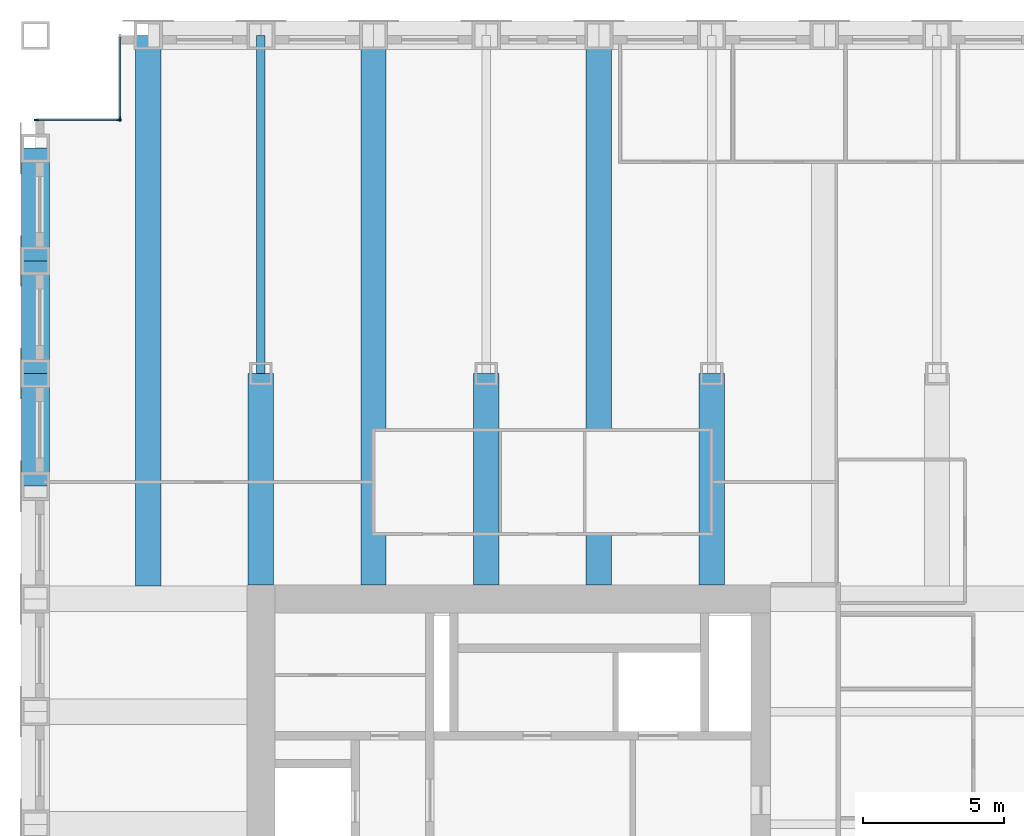
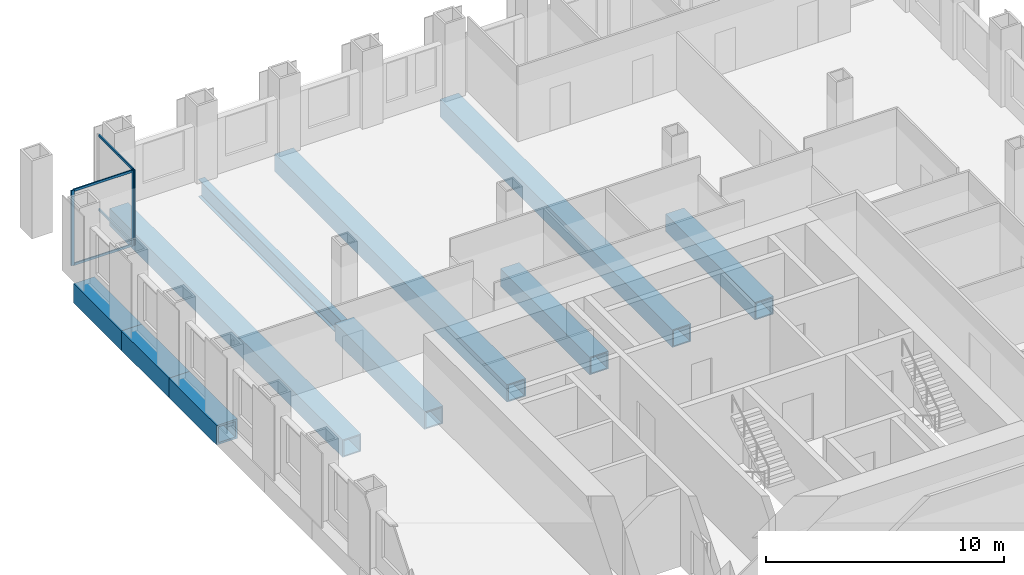
# One storey, part 5 of 13: 10 beams, 7 members, 2 elements without a shape of their own.
"""IFC4 building model written with IfcOpenShell, lengths in metres."""

from ifc_helpers import new_model, si_unit, direction, frame, origin, origin_2d, place, context, subcontext, project, spatial, rectangle, hollow_rectangle, i_section, extrude, material, material_profile, profile_set, type_object, element, aggregate, save


model = new_model("IFC4")

# Units and contexts
model_context = context("Model", 3, precision=1e-05, world=origin(), true_north=direction((0.0, 1.0)))
body_context = subcontext(model_context, "Body", "Model", "MODEL_VIEW")
ifc_project = project(units=[si_unit("LENGTHUNIT", "METRE"), si_unit("AREAUNIT", "SQUARE_METRE"), si_unit("VOLUMEUNIT", "CUBIC_METRE"), si_unit("PLANEANGLEUNIT", "RADIAN"), si_unit("MASSUNIT", "GRAM", prefix="KILO")], contexts=[model_context])

# Site, building, storey
site_placement = place(None, origin())
site = spatial("IfcSite", under=ifc_project, at=site_placement, CompositionType="ELEMENT")
building_placement = place(site_placement, origin())
building = spatial("IfcBuilding", under=site, at=building_placement, Name="Rimbunsela Tower", CompositionType="ELEMENT")
storey_placement = place(building_placement, frame((0.0, 0.0, 222.199951171875)))
storey = spatial("IfcBuildingStorey", under=building, at=storey_placement, Name="L53", CompositionType="ELEMENT", Elevation=222.199951171875)

# Beams
ifc_material_1 = material(Name="Steel BJ 55 (fy 410 MPa)", Category="steel")
ifc_material_profile_1 = material_profile(ifc_material_1, hollow_rectangle(XDim=1.0, YDim=1.0, WallThickness=0.10009765625, at=origin_2d()), Name="BOX 1000x1000x100")
ifc_profile_set_1 = profile_set([ifc_material_profile_1], Name="Steel BJ 55 (fy 410 MPa)")
beam_type_1 = type_object("IfcBeamType", Name="Beam BOX 1000x1000x100", PredefinedType="BEAM", material=ifc_profile_set_1)
for number, where, z_axis, x_axis, name in (
    (1, (10.0, 40.0, -0.64990234375), (0.0, 1.0, 0.0), (-1.0, 0.0, 0.0), "Beam B3 L53"),
    (2, (10.0, 44.0, -0.64990234375), (0.0, 1.0, 0.0), (-1.0, 0.0, 0.0), "Beam B3 L53"),
    (3, (10.0, 48.0, -0.64990234375), (0.0, 1.0, 0.0), (-1.0, 0.0, 0.0), "Beam B3 L53"),
):
    element("IfcBeam", number, at=place(storey_placement, frame(where, z_axis=z_axis, x_axis=x_axis)), inside=storey, type_object=beam_type_1, Name=name, PredefinedType="BEAM", context=body_context, shape_type="SweptSolid", body=[
        extrude(hollow_rectangle(XDim=1.0, YDim=1.0, WallThickness=0.10009765625, at=origin_2d()), origin(), (0.0, 0.0, 1.0), 4.0),
    ])
ifc_material_2 = material(Name="Steel BJ 55 (fy 410 MPa)", Category="steel")
ifc_material_profile_2 = material_profile(ifc_material_2, hollow_rectangle(XDim=0.89990234375, YDim=0.89990234375, WallThickness=0.06005859375, at=origin_2d()), Name="BOX 900x900x60")
ifc_profile_set_2 = profile_set([ifc_material_profile_2], Name="Steel BJ 55 (fy 410 MPa)")
beam_type_2 = type_object("IfcBeamType", Name="Beam BOX 900x900x60", PredefinedType="BEAM", material=ifc_profile_set_2)
beam_1_placement = place(storey_placement, frame((14.0, 36.449951171875, -0.599853515625), z_axis=(0.0, 1.0, 0.0), x_axis=(-1.0, 0.0, 0.0)))
element("IfcBeam", 4, at=beam_1_placement, inside=storey, type_object=beam_type_2, Name="Beam B1 L53", PredefinedType="BEAM", context=body_context, shape_type="SweptSolid", body=[
    extrude(hollow_rectangle(XDim=0.89990234375, YDim=0.89990234375, WallThickness=0.06005859375, at=origin_2d()), origin(), (0.0, 0.0, 1.0), 19.550048828125),
])
beam_2_placement = place(storey_placement, frame((18.0, 36.5, -0.599853515625), z_axis=(0.0, 1.0, 0.0), x_axis=(-1.0, 0.0, 0.0)))
element("IfcBeam", 5, at=beam_2_placement, inside=storey, type_object=beam_type_2, Name="Beam B1 L53", PredefinedType="BEAM", context=body_context, shape_type="SweptSolid", body=[
    extrude(hollow_rectangle(XDim=0.89990234375, YDim=0.89990234375, WallThickness=0.06005859375, at=origin_2d()), origin(), (0.0, 0.0, 1.0), 7.5),
])
beam_3_placement = place(storey_placement, frame((22.0, 36.5, -0.599853515625), z_axis=(0.0, 1.0, 0.0), x_axis=(-1.0, 0.0, 0.0)))
element("IfcBeam", 6, at=beam_3_placement, inside=storey, type_object=beam_type_2, Name="Beam B1 L53", PredefinedType="BEAM", context=body_context, shape_type="SweptSolid", body=[
    extrude(hollow_rectangle(XDim=0.89990234375, YDim=0.89990234375, WallThickness=0.06005859375, at=origin_2d()), origin(), (0.0, 0.0, 1.0), 19.5),
])
beam_4_placement = place(storey_placement, frame((26.0, 36.5, -0.599853515625), z_axis=(0.0, 1.0, 0.0), x_axis=(-1.0, 0.0, 0.0)))
element("IfcBeam", 7, at=beam_4_placement, inside=storey, type_object=beam_type_2, Name="Beam B1 L53", PredefinedType="BEAM", context=body_context, shape_type="SweptSolid", body=[
    extrude(hollow_rectangle(XDim=0.89990234375, YDim=0.89990234375, WallThickness=0.06005859375, at=origin_2d()), origin(), (0.0, 0.0, 1.0), 7.5),
])
beam_5_placement = place(storey_placement, frame((30.0, 36.5, -0.599853515625), z_axis=(0.0, 1.0, 0.0), x_axis=(-1.0, 0.0, 0.0)))
element("IfcBeam", 8, at=beam_5_placement, inside=storey, type_object=beam_type_2, Name="Beam B1 L53", PredefinedType="BEAM", context=body_context, shape_type="SweptSolid", body=[
    extrude(hollow_rectangle(XDim=0.89990234375, YDim=0.89990234375, WallThickness=0.06005859375, at=origin_2d()), origin(), (0.0, 0.0, 1.0), 19.5),
])
beam_6_placement = place(storey_placement, frame((34.0, 36.5, -0.599853515625), z_axis=(0.0, 1.0, 0.0), x_axis=(-1.0, 0.0, 0.0)))
element("IfcBeam", 9, at=beam_6_placement, inside=storey, type_object=beam_type_2, Name="Beam B1 L53", PredefinedType="BEAM", context=body_context, shape_type="SweptSolid", body=[
    extrude(hollow_rectangle(XDim=0.89990234375, YDim=0.89990234375, WallThickness=0.06005859375, at=origin_2d()), origin(), (0.0, 0.0, 1.0), 7.5),
])
ifc_material_3 = material(Name="Steel BJ 55 (fy 410 MPa)", Category="steel")
ifc_material_profile_3 = material_profile(ifc_material_3, i_section(OverallWidth=0.300048828125, OverallDepth=0.89990234375, WebThickness=0.01611328125, FlangeThickness=0.028076171875, FilletRadius=0.028076171875, at=origin_2d()), Name="H 900x300x16x28")
ifc_profile_set_3 = profile_set([ifc_material_profile_3], Name="Steel BJ 55 (fy 410 MPa)")
beam_type_3 = type_object("IfcBeamType", Name="Beam H 900x300x16x28", PredefinedType="BEAM", material=ifc_profile_set_3)
beam_7_placement = place(storey_placement, frame((18.0, 44.0, -0.599853515625), z_axis=(0.0, 1.0, 0.0), x_axis=(-1.0, 0.0, 0.0)))
element("IfcBeam", 10, at=beam_7_placement, inside=storey, type_object=beam_type_3, Name="Beam B2 L53", PredefinedType="BEAM", context=body_context, shape_type="SweptSolid", body=[
    extrude(i_section(OverallWidth=0.300048828125, OverallDepth=0.89990234375, WebThickness=0.01611328125, FlangeThickness=0.028076171875, FilletRadius=0.028076171875, at=origin_2d()), origin(), (0.0, 0.0, 1.0), 12.0),
])

# Curtain wall, member
ifc_material_4 = material(Name="Aluminium curtain wall", Category="aluminium")
curtain_wall_type = type_object("IfcCurtainWallType", Name="Corner glazing", PredefinedType="USERDEFINED", material=ifc_material_4)
curtain_wall_1_placement = place(storey_placement, origin())
curtain_wall_1 = element("IfcCurtainWall", 11, at=curtain_wall_1_placement, inside=storey, type_object=curtain_wall_type, Name="Corner glazing L53", ObjectType="CORNER GLAZING", PredefinedType="USERDEFINED")
ifc_material_5 = material(Name="Aluminium mullion", Category="aluminium")
ifc_material_profile_4 = material_profile(ifc_material_5, rectangle(XDim=0.06005859375, YDim=0.159912109375, at=origin_2d()), Name="Mullion 60x160")
ifc_profile_set_4 = profile_set([ifc_material_profile_4], Name="Aluminium mullion")
member_type_1 = type_object("IfcMemberType", Name="Curtain wall mullion 60x160", PredefinedType="MULLION", material=ifc_profile_set_4)
member_1_placement = place(storey_placement, frame((13.0, 53.030029296875, 0.0), z_axis=(0.0, 0.0, 1.0), x_axis=(1.0, 0.0, 0.0)))
member_1 = element("IfcMember", 12, at=member_1_placement, type_object=member_type_1, Name="CW5 mullion 2", PredefinedType="MULLION", context=body_context, shape_type="SweptSolid", body=[
    extrude(rectangle(XDim=0.06005859375, YDim=0.159912109375, at=origin_2d()), origin(), (0.0, 0.0, 1.0), 3.85009765625),
])

# Curtain wall, members
curtain_wall_2_placement = place(storey_placement, origin())
curtain_wall_2 = element("IfcCurtainWall", 13, at=curtain_wall_2_placement, inside=storey, type_object=curtain_wall_type, Name="Corner glazing L53", ObjectType="CORNER GLAZING", PredefinedType="USERDEFINED")
member_2_placement = place(storey_placement, frame((12.969970703125, 53.0, 0.0), z_axis=(0.0, 0.0, 1.0), x_axis=(0.0, -1.0, 0.0)))
member_2 = element("IfcMember", 14, at=member_2_placement, type_object=member_type_1, Name="CW5 mullion 1", PredefinedType="MULLION", context=body_context, shape_type="SweptSolid", body=[
    extrude(rectangle(XDim=0.06005859375, YDim=0.159912109375, at=origin_2d()), origin(), (0.0, 0.0, 1.0), 3.85009765625),
])
member_3_placement = place(storey_placement, frame((10.030029296875, 53.0, 0.0), z_axis=(0.0, 0.0, 1.0), x_axis=(0.0, -1.0, 0.0)))
member_3 = element("IfcMember", 15, at=member_3_placement, type_object=member_type_1, Name="CW5 mullion 2", PredefinedType="MULLION", context=body_context, shape_type="SweptSolid", body=[
    extrude(rectangle(XDim=0.06005859375, YDim=0.159912109375, at=origin_2d()), origin(), (0.0, 0.0, 1.0), 3.85009765625),
])

# Member
ifc_material_6 = material(Name="Aluminium transom", Category="aluminium")
ifc_material_profile_5 = material_profile(ifc_material_6, rectangle(XDim=0.06005859375, YDim=0.1201171875, at=origin_2d()), Name="Transom 60x120")
ifc_profile_set_5 = profile_set([ifc_material_profile_5], Name="Aluminium transom")
member_type_2 = type_object("IfcMemberType", Name="Curtain wall transom 60x120", PredefinedType="USERDEFINED", material=ifc_profile_set_5)
member_4_placement = place(storey_placement, frame((13.0, 55.93994140625, 0.030029296875), z_axis=(0.0, -1.0, 0.0), x_axis=(1.0, 0.0, 0.0)))
member_4 = element("IfcMember", 16, at=member_4_placement, type_object=member_type_2, Name="CW5 transom 1.1", ObjectType="TRANSOM", PredefinedType="USERDEFINED", context=body_context, shape_type="SweptSolid", body=[
    extrude(rectangle(XDim=0.06005859375, YDim=0.1201171875, at=origin_2d()), origin(), (0.0, 0.0, 1.0), 2.8798828125),
])

member_5_placement = place(storey_placement, frame((13.0, 55.93994140625, 3.820068359375), z_axis=(0.0, -1.0, 0.0), x_axis=(1.0, 0.0, 0.0)))
member_5 = element("IfcMember", 17, at=member_5_placement, type_object=member_type_2, Name="CW5 transom 1.2", ObjectType="TRANSOM", PredefinedType="USERDEFINED", context=body_context, shape_type="SweptSolid", body=[
    extrude(rectangle(XDim=0.06005859375, YDim=0.1201171875, at=origin_2d()), origin(), (0.0, 0.0, 1.0), 2.8798828125),
])

aggregate(curtain_wall_1, [member_1, member_4, member_5])

member_6_placement = place(storey_placement, frame((12.93994140625, 53.0, 0.030029296875), z_axis=(-1.0, 0.0, 0.0), x_axis=(0.0, -1.0, 0.0)))
member_6 = element("IfcMember", 18, at=member_6_placement, type_object=member_type_2, Name="CW5 transom 1.1", ObjectType="TRANSOM", PredefinedType="USERDEFINED", context=body_context, shape_type="SweptSolid", body=[
    extrude(rectangle(XDim=0.06005859375, YDim=0.1201171875, at=origin_2d()), origin(), (0.0, 0.0, 1.0), 2.8798828125),
])

member_7_placement = place(storey_placement, frame((12.93994140625, 53.0, 3.820068359375), z_axis=(-1.0, 0.0, 0.0), x_axis=(0.0, -1.0, 0.0)))
member_7 = element("IfcMember", 19, at=member_7_placement, type_object=member_type_2, Name="CW5 transom 1.2", ObjectType="TRANSOM", PredefinedType="USERDEFINED", context=body_context, shape_type="SweptSolid", body=[
    extrude(rectangle(XDim=0.06005859375, YDim=0.1201171875, at=origin_2d()), origin(), (0.0, 0.0, 1.0), 2.8798828125),
])

aggregate(curtain_wall_2, [member_2, member_3, member_6, member_7])

save(model, "model.ifc")
